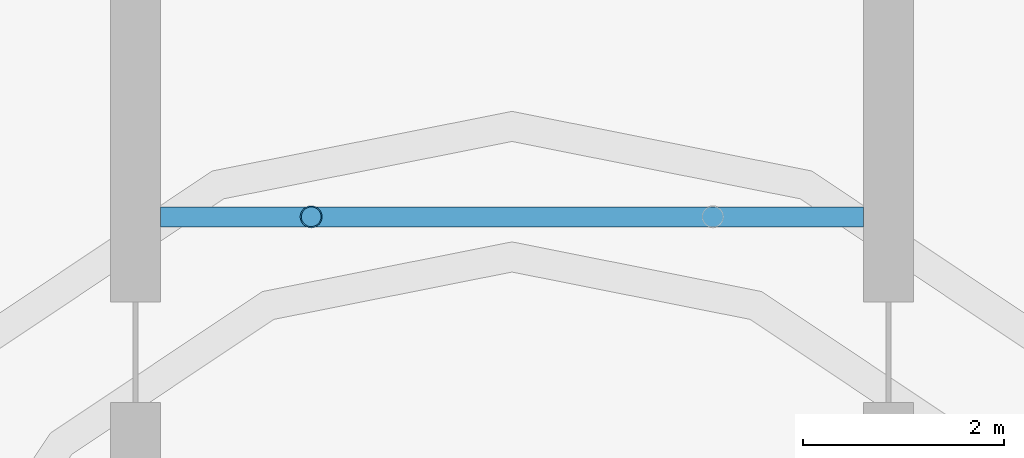
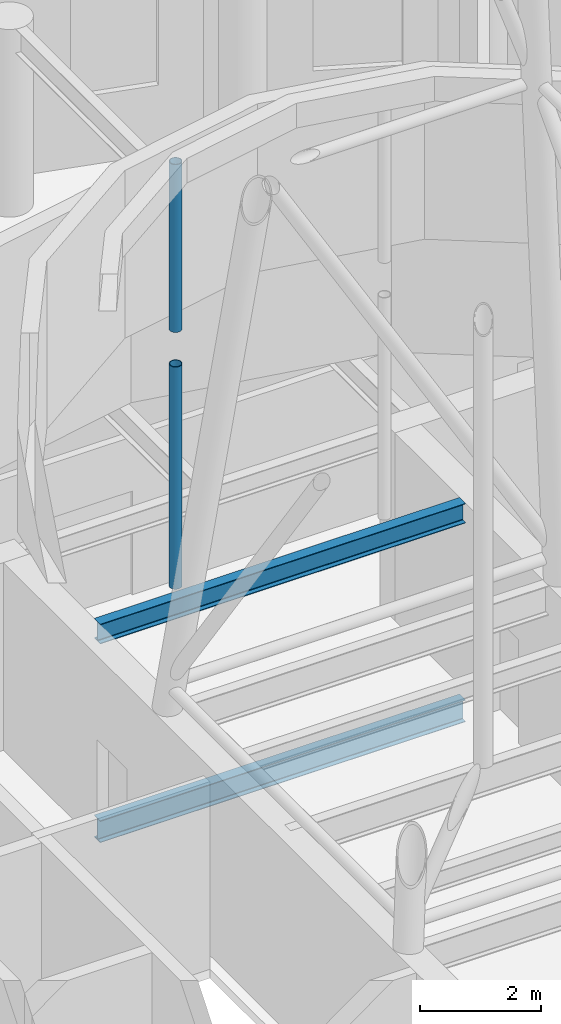
# One storey, part 7 of 17: 2 beams, 2 members.
"""IFC4 building model written with IfcOpenShell, lengths in metres."""

from ifc_helpers import new_model, si_unit, direction, frame, origin, origin_2d, place, context, subcontext, project, spatial, hollow_circle, i_section, extrude, material, material_profile, profile_set, type_object, element, save


model = new_model("IFC4")

# Units and contexts
model_context = context("Model", 3, precision=1e-05, world=origin(), true_north=direction((0.0, 1.0)))
body_context = subcontext(model_context, "Body", "Model", "MODEL_VIEW")
ifc_project = project(units=[si_unit("LENGTHUNIT", "METRE"), si_unit("AREAUNIT", "SQUARE_METRE"), si_unit("VOLUMEUNIT", "CUBIC_METRE"), si_unit("PLANEANGLEUNIT", "RADIAN"), si_unit("MASSUNIT", "GRAM", prefix="KILO")], contexts=[model_context])

# Site, building, storey
site_placement = place(None, origin())
site = spatial("IfcSite", under=ifc_project, at=site_placement, CompositionType="ELEMENT")
building_placement = place(site_placement, origin())
building = spatial("IfcBuilding", under=site, at=building_placement, Name="Tamarind Cross Interchange Tower", CompositionType="ELEMENT")
storey_placement = place(building_placement, frame((0.0, 0.0, 325.39990234375)))
storey = spatial("IfcBuildingStorey", under=building, at=storey_placement, Name="L80", CompositionType="ELEMENT", Elevation=325.39990234375)

# Beams
ifc_material = material(Name="Steel Q355B", Category="steel")
ifc_material_profile_1 = material_profile(ifc_material, i_section(OverallWidth=0.199951171875, OverallDepth=0.39990234375, WebThickness=0.008056640625, FlangeThickness=0.012939453125, FilletRadius=0.01611328125, at=origin_2d()), Name="HN 400x200x8x13")
ifc_profile_set_1 = profile_set([ifc_material_profile_1], Name="Steel Q355B")
beam_type_1 = type_object("IfcBeamType", Name="Composite beam HN 400x200x8x13 Q355B", PredefinedType="BEAM", material=ifc_profile_set_1)
beam_1_placement = place(storey_placement, frame((-3.5, 6.75, 3.60009765625), z_axis=(1.0, 0.0, 0.0), x_axis=(0.0, 1.0, 0.0)))
element("IfcBeam", 1, at=beam_1_placement, inside=storey, type_object=beam_type_1, Name="Beam G6.75", PredefinedType="BEAM", context=body_context, shape_type="SweptSolid", body=[
    extrude(i_section(OverallWidth=0.199951171875, OverallDepth=0.39990234375, WebThickness=0.008056640625, FlangeThickness=0.012939453125, FilletRadius=0.01611328125, at=origin_2d()), origin(), (0.0, 0.0, 1.0), 7.0),
])
ifc_material_profile_2 = material_profile(ifc_material, i_section(OverallWidth=0.198974609375, OverallDepth=0.446044921875, WebThickness=0.008056640625, FlangeThickness=0.011962890625, FilletRadius=0.012939453125, at=origin_2d()), Name="HN 446x199x8x12")
ifc_profile_set_2 = profile_set([ifc_material_profile_2], Name="Steel Q355B")
beam_type_2 = type_object("IfcBeamType", Name="Composite beam HN 446x199x8x12 Q355B", PredefinedType="BEAM", material=ifc_profile_set_2)
beam_2_placement = place(storey_placement, frame((-3.5, 6.75, -0.40283203125), z_axis=(1.0, 0.0, 0.0), x_axis=(0.0, 1.0, 0.0)))
element("IfcBeam", 2, at=beam_2_placement, inside=storey, type_object=beam_type_2, Name="Beam G6.75", PredefinedType="BEAM", context=body_context, shape_type="SweptSolid", body=[
    extrude(i_section(OverallWidth=0.198974609375, OverallDepth=0.446044921875, WebThickness=0.008056640625, FlangeThickness=0.011962890625, FilletRadius=0.012939453125, at=origin_2d()), origin(), (0.0, 0.0, 1.0), 7.0),
])

# Members
ifc_material_profile_3 = material_profile(ifc_material, hollow_circle(Radius=0.109619140625, WallThickness=0.011962890625, at=origin_2d()), Name="CHS 219x12")
ifc_profile_set_3 = profile_set([ifc_material_profile_3], Name="Steel Q355B")
member_type = type_object("IfcMemberType", Name="Lantern post CHS 219x12 Q355B", PredefinedType="POST", material=ifc_profile_set_3)
member_1_placement = place(storey_placement, frame((-2.0, 6.75, 4.0), z_axis=(0.0, 0.0, 1.0), x_axis=(1.0, 0.0, 0.0)))
element("IfcMember", 3, at=member_1_placement, inside=storey, type_object=member_type, Name="Lantern post low 2", PredefinedType="POST", context=body_context, shape_type="SweptSolid", body=[
    extrude(hollow_circle(Radius=0.109619140625, WallThickness=0.011962890625, at=origin_2d()), origin(), (0.0, 0.0, 1.0), 4.5),
])
member_2_placement = place(storey_placement, frame((-2.0, 6.75, 9.2001953125), z_axis=(0.0, 0.0, 1.0), x_axis=(1.0, 0.0, 0.0)))
element("IfcMember", 4, at=member_2_placement, inside=storey, type_object=member_type, Name="Lantern post up 2", PredefinedType="POST", context=body_context, shape_type="SweptSolid", body=[
    extrude(hollow_circle(Radius=0.109619140625, WallThickness=0.011962890625, at=origin_2d()), origin(), (0.0, 0.0, 1.0), 3.39990234375),
])

save(model, "model.ifc")
